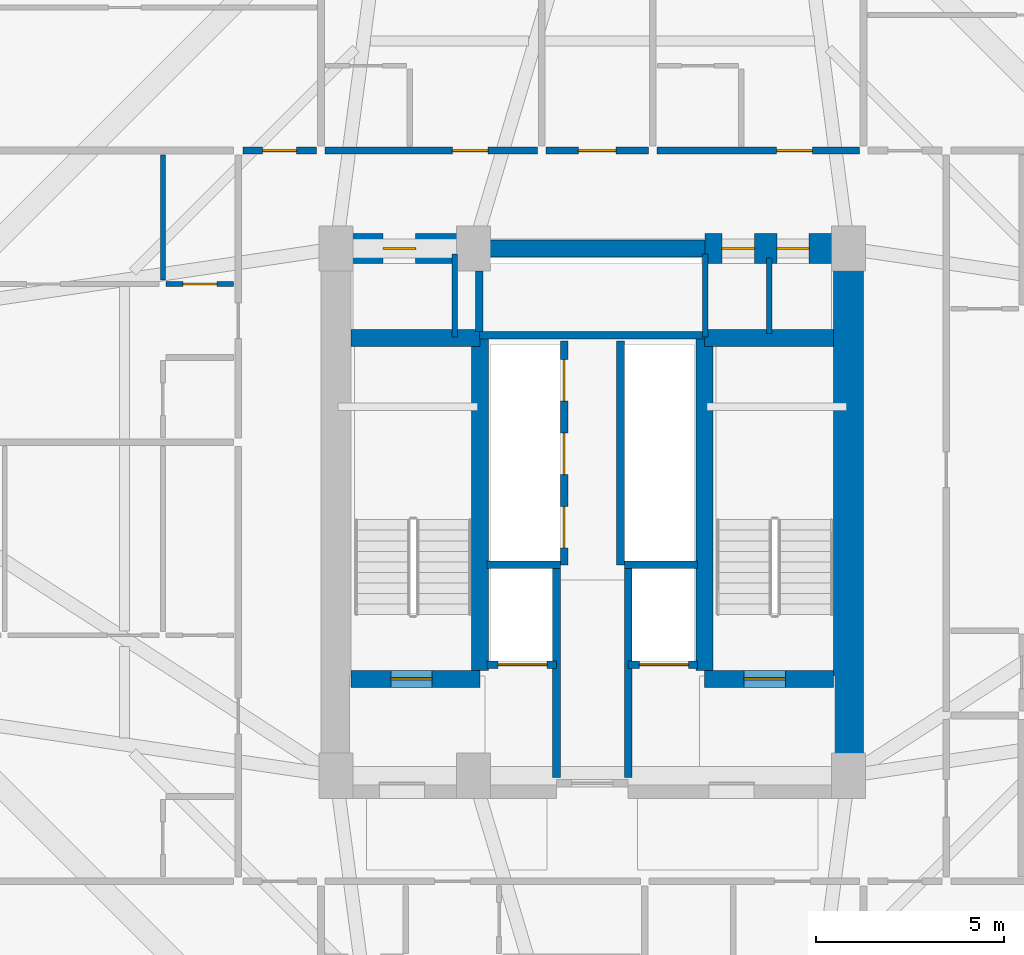
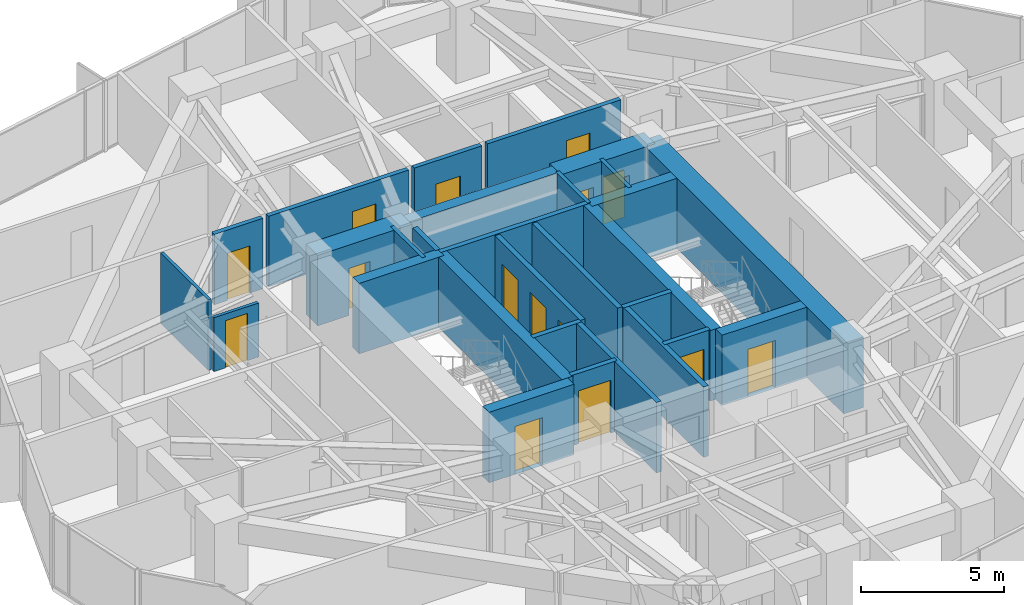
# One storey, part 34 of 38: 29 walls, 15 doors, 15 openings.
"""IFC4 building model written with IfcOpenShell, lengths in metres."""

from ifc_helpers import new_model, si_unit, direction, frame, frame_2d, origin, place, context, subcontext, project, spatial, rectangle, extrude, source, transform, mapped, material, layer, layer_set, type_object, element, fill, save


model = new_model("IFC4")

# Units and contexts
model_context = context("Model", 3, precision=1e-05, world=origin(), true_north=direction((0.0, 1.0)))
body_context = subcontext(model_context, "Body", "Model", "MODEL_VIEW")
ifc_project = project(units=[si_unit("LENGTHUNIT", "METRE"), si_unit("AREAUNIT", "SQUARE_METRE"), si_unit("VOLUMEUNIT", "CUBIC_METRE"), si_unit("PLANEANGLEUNIT", "RADIAN"), si_unit("MASSUNIT", "GRAM", prefix="KILO")], contexts=[model_context])

# Site, building, storey
site_placement = place(None, origin())
site = spatial("IfcSite", under=ifc_project, at=site_placement, CompositionType="ELEMENT")
building_placement = place(site_placement, origin())
building = spatial("IfcBuilding", under=site, at=building_placement, Name="Veraguas Prism Commons", CompositionType="ELEMENT")
storey_placement = place(building_placement, frame((0.0, 0.0, 64.10009765625)))
storey = spatial("IfcBuildingStorey", under=building, at=storey_placement, Name="L17", CompositionType="ELEMENT", Elevation=64.10009765625)

# Wall
ifc_material_1 = material(Name="Concrete C60/75", Category="concrete")
ifc_layer_1 = layer(ifc_material_1, 0.449951171875, Name="Core Internal Shear Wall Lower RC 450", Category="concrete")
ifc_layer_set_1 = layer_set([ifc_layer_1], Name="Concrete C60/75")
wall_type_1 = type_object("IfcWallType", Name="Core Internal Shear Wall Lower RC 450", PredefinedType="SHEAR", material=ifc_layer_set_1)
wall_1_placement = place(storey_placement, frame((21.0, 31.0, 0.0), z_axis=(0.0, 0.0, 1.0), x_axis=(1.0, 0.0, 0.0)))
element("IfcWall", 1, at=wall_1_placement, inside=storey, type_object=wall_type_1, Name="High-Rise Lift Bank Front Shear Wall L17", PredefinedType="SHEAR", context=body_context, shape_type="SweptSolid", body=[
    extrude(rectangle(XDim=6.0, YDim=0.449951171875, at=frame_2d((3.0, 0.0))), origin(), (0.0, 0.0, 1.0), 3.0),
])

# Wall, opening, door
wall_2_placement = place(storey_placement, frame((17.60009765625, 19.574951171875, 0.0), z_axis=(0.0, 0.0, 1.0), x_axis=(1.0, 0.0, 0.0)))
wall_2 = element("IfcWall", 2, at=wall_2_placement, inside=storey, type_object=wall_type_1, Name="Stair ST-01 South Shear Wall L17", PredefinedType="SHEAR", context=body_context, shape_type="SweptSolid", body=[
    extrude(rectangle(XDim=3.4248046875, YDim=0.449951171875, at=frame_2d((1.71240234375, 0.0))), origin(), (0.0, 0.0, 1.0), 3.0),
])
opening_1_placement = place(wall_2_placement, frame((1.050048828125, 0.0, 0.0)))
opening_1 = element("IfcOpeningElement", 3, at=opening_1_placement, cuts=wall_2, Name="Opening DR-05", PredefinedType="OPENING", context=body_context, shape_type="SweptSolid", body=[
    extrude(rectangle(XDim=1.10009765625, YDim=2.030029296875, at=frame_2d((0.550048828125, 1.01513671875))), frame((0.0, 0.23486328125, 0.0), z_axis=(0.0, -1.0, 0.0), x_axis=(1.0, 0.0, 0.0)), (0.0, 0.0, 1.0), 0.469970703125),
])
ifc_material_2 = material(Name="Steel fire-rated door assembly", Category="steel")
door_type_1 = type_object("IfcDoorType", Name="Protected Stair and Refuge Fire Door 1100x2030", OperationType="NOTDEFINED", PredefinedType="DOOR", material=ifc_material_2)
shared_shape_1 = source(origin(), body_context, "Body", "SweptSolid", [
    extrude(rectangle(XDim=1.10009765625, YDim=2.030029296875, at=frame_2d((0.550048828125, 1.01513671875))), frame((0.0, 0.02490234375, 0.0), z_axis=(0.0, -1.0, 0.0), x_axis=(1.0, 0.0, 0.0)), (0.0, 0.0, 1.0), 0.050048828125),
])
door_1_placement = place(opening_1_placement, origin())
door_1 = element("IfcDoor", 4, at=door_1_placement, inside=storey, type_object=door_type_1, Name="Stair ST-01 Enclosure Door L17", OperationType="SINGLE_SWING_LEFT", OverallHeight=2.030029296875, OverallWidth=1.10009765625, PredefinedType="DOOR", context=body_context, shape_type="MappedRepresentation", body=[
    mapped(shared_shape_1, transform((0.0, 0.0, 0.0), scale=1.0)),
])
fill(opening_1, door_1)

wall_3_placement = place(storey_placement, frame((26.97509765625, 19.574951171875, 0.0), z_axis=(0.0, 0.0, 1.0), x_axis=(1.0, 0.0, 0.0)))
wall_3 = element("IfcWall", 5, at=wall_3_placement, inside=storey, type_object=wall_type_1, Name="Stair ST-02 South Shear Wall L17", PredefinedType="SHEAR", context=body_context, shape_type="SweptSolid", body=[
    extrude(rectangle(XDim=3.4248046875, YDim=0.449951171875, at=frame_2d((1.71240234375, 0.0))), origin(), (0.0, 0.0, 1.0), 3.0),
])
opening_2_placement = place(wall_3_placement, frame((1.050048828125, 0.0, 0.0)))
opening_2 = element("IfcOpeningElement", 6, at=opening_2_placement, cuts=wall_3, Name="Opening DR-05", PredefinedType="OPENING", context=body_context, shape_type="SweptSolid", body=[
    extrude(rectangle(XDim=1.10009765625, YDim=2.030029296875, at=frame_2d((0.550048828125, 1.01513671875))), frame((0.0, 0.23486328125, 0.0), z_axis=(0.0, -1.0, 0.0), x_axis=(1.0, 0.0, 0.0)), (0.0, 0.0, 1.0), 0.469970703125),
])
door_2_placement = place(opening_2_placement, origin())
door_2 = element("IfcDoor", 7, at=door_2_placement, inside=storey, type_object=door_type_1, Name="Stair ST-02 Enclosure Door L17", OperationType="SINGLE_SWING_RIGHT", OverallHeight=2.030029296875, OverallWidth=1.10009765625, PredefinedType="DOOR", context=body_context, shape_type="MappedRepresentation", body=[
    mapped(shared_shape_1, transform((0.0, 0.0, 0.0), scale=1.0)),
])
fill(opening_2, door_2)

# Walls
for number, where, z_axis, x_axis, name in (
    (8, (21.02490234375, 19.800048828125, 0.0), (0.0, 0.0, 1.0), (0.0, 1.0, 0.0), "Stair ST-01 Inner Shear Wall L17"),
    (9, (26.97509765625, 19.800048828125, 0.0), (0.0, 0.0, 1.0), (0.0, 1.0, 0.0), "Stair ST-02 Inner Shear Wall L17"),
):
    element("IfcWall", number, at=place(storey_placement, frame(where, z_axis=z_axis, x_axis=x_axis)), inside=storey, type_object=wall_type_1, Name=name, PredefinedType="SHEAR", context=body_context, shape_type="SweptSolid", body=[
        extrude(rectangle(XDim=8.824951171875, YDim=0.449951171875, at=frame_2d((4.41259765625, 0.0))), origin(), (0.0, 0.0, 1.0), 3.0),
    ])
for number, where, z_axis, x_axis, name in (
    (10, (17.60009765625, 28.625, 0.0), (0.0, 0.0, 1.0), (1.0, 0.0, 0.0), "Stair ST-01 North Shear Wall L17"),
    (11, (26.97509765625, 28.625, 0.0), (0.0, 0.0, 1.0), (1.0, 0.0, 0.0), "Stair ST-02 North Shear Wall L17"),
):
    element("IfcWall", number, at=place(storey_placement, frame(where, z_axis=z_axis, x_axis=x_axis)), inside=storey, type_object=wall_type_1, Name=name, PredefinedType="SHEAR", context=body_context, shape_type="SweptSolid", body=[
        extrude(rectangle(XDim=3.4248046875, YDim=0.449951171875, at=frame_2d((1.71240234375, 0.0))), origin(), (0.0, 0.0, 1.0), 3.0),
    ])
ifc_layer_2 = layer(ifc_material_1, 0.800048828125, Name="Core Outer Shear Wall Lower RC 800", Category="concrete")
ifc_layer_set_2 = layer_set([ifc_layer_2], Name="Concrete C60/75")
wall_type_2 = type_object("IfcWallType", Name="Core Outer Shear Wall Lower RC 800", PredefinedType="SHEAR", material=ifc_layer_set_2)
wall_4_placement = place(storey_placement, frame((30.800048828125, 16.800048828125, 0.0), z_axis=(0.0, 0.0, 1.0), x_axis=(0.0, 1.0, 0.0)))
element("IfcWall", 12, at=wall_4_placement, inside=storey, type_object=wall_type_2, Name="Central Core East Shear Wall L17", PredefinedType="SHEAR", context=body_context, shape_type="SweptSolid", body=[
    extrude(rectangle(XDim=14.199951171875, YDim=0.800048828125, at=frame_2d((7.10009765625, 0.0))), origin(), (0.0, 0.0, 1.0), 3.0),
])

# Wall, opening, door
wall_5_placement = place(storey_placement, frame((17.199951171875, 31.0, 0.0), z_axis=(0.0, 0.0, 1.0), x_axis=(1.0, 0.0, 0.0)))
wall_5 = element("IfcWall", 13, at=wall_5_placement, inside=storey, type_object=wall_type_2, Name="Central Core North-West Shear Wall L17", PredefinedType="SHEAR", context=body_context, shape_type="SweptSolid", body=[
    extrude(rectangle(XDim=3.800048828125, YDim=0.800048828125, at=frame_2d((1.89990234375, 0.0))), origin(), (0.0, 0.0, 1.0), 3.0),
])
opening_3_placement = place(wall_5_placement, frame((1.25, 0.0, 0.0)))
opening_3 = element("IfcOpeningElement", 14, at=opening_3_placement, cuts=wall_5, Name="Opening DR-12", PredefinedType="OPENING", context=body_context, shape_type="SweptSolid", body=[
    extrude(rectangle(XDim=0.860107421875, YDim=2.010009765625, at=frame_2d((0.43017578125, 1.0048828125))), frame((0.0, 0.409912109375, 0.0), z_axis=(0.0, -1.0, 0.0), x_axis=(1.0, 0.0, 0.0)), (0.0, 0.0, 1.0), 0.820068359375),
])
door_type_2 = type_object("IfcDoorType", Name="Core WC Fire Door 860x2010", OperationType="NOTDEFINED", PredefinedType="DOOR", material=ifc_material_2)
shared_shape_2 = source(origin(), body_context, "Body", "SweptSolid", [
    extrude(rectangle(XDim=0.860107421875, YDim=2.010009765625, at=frame_2d((0.43017578125, 1.0048828125))), frame((0.0, 0.02490234375, 0.0), z_axis=(0.0, -1.0, 0.0), x_axis=(1.0, 0.0, 0.0)), (0.0, 0.0, 1.0), 0.050048828125),
])
door_3_placement = place(opening_3_placement, origin())
door_3 = element("IfcDoor", 15, at=door_3_placement, inside=storey, type_object=door_type_2, Name="Core NW Service Door L17", OperationType="SINGLE_SWING_RIGHT", OverallHeight=2.010009765625, OverallWidth=0.860107421875, PredefinedType="DOOR", context=body_context, shape_type="MappedRepresentation", body=[
    mapped(shared_shape_2, transform((0.0, 0.0, 0.0), scale=1.0)),
])
fill(opening_3, door_3)

# Wall, openings, doors
wall_6_placement = place(storey_placement, frame((27.0, 31.0, 0.0), z_axis=(0.0, 0.0, 1.0), x_axis=(1.0, 0.0, 0.0)))
wall_6 = element("IfcWall", 16, at=wall_6_placement, inside=storey, type_object=wall_type_2, Name="Central Core North-East Shear Wall L17", PredefinedType="SHEAR", context=body_context, shape_type="SweptSolid", body=[
    extrude(rectangle(XDim=3.800048828125, YDim=0.800048828125, at=frame_2d((1.89990234375, 0.0))), origin(), (0.0, 0.0, 1.0), 3.0),
])
opening_4_placement = place(wall_6_placement, frame((0.449951171875, 0.0, 0.0)))
opening_4 = element("IfcOpeningElement", 17, at=opening_4_placement, cuts=wall_6, Name="Opening DR-12", PredefinedType="OPENING", context=body_context, shape_type="SweptSolid", body=[
    extrude(rectangle(XDim=0.860107421875, YDim=2.010009765625, at=frame_2d((0.43017578125, 1.0048828125))), frame((0.0, 0.409912109375, 0.0), z_axis=(0.0, -1.0, 0.0), x_axis=(1.0, 0.0, 0.0)), (0.0, 0.0, 1.0), 0.820068359375),
])
opening_5_placement = place(wall_6_placement, frame((1.89990234375, 0.0, 0.0)))
opening_5 = element("IfcOpeningElement", 18, at=opening_5_placement, cuts=wall_6, Name="Opening DR-12", PredefinedType="OPENING", context=body_context, shape_type="SweptSolid", body=[
    extrude(rectangle(XDim=0.860107421875, YDim=2.010009765625, at=frame_2d((0.43017578125, 1.0048828125))), frame((0.0, 0.409912109375, 0.0), z_axis=(0.0, -1.0, 0.0), x_axis=(1.0, 0.0, 0.0)), (0.0, 0.0, 1.0), 0.820068359375),
])
door_4_placement = place(opening_4_placement, origin())
door_4 = element("IfcDoor", 19, at=door_4_placement, inside=storey, type_object=door_type_2, Name="Core NE Room A Door L17", OperationType="SINGLE_SWING_LEFT", OverallHeight=2.010009765625, OverallWidth=0.860107421875, PredefinedType="DOOR", context=body_context, shape_type="MappedRepresentation", body=[
    mapped(shared_shape_2, transform((0.0, 0.0, 0.0), scale=1.0)),
])
fill(opening_4, door_4)
door_5_placement = place(opening_5_placement, origin())
door_5 = element("IfcDoor", 20, at=door_5_placement, inside=storey, type_object=door_type_2, Name="Core NE Room B Door L17", OperationType="SINGLE_SWING_RIGHT", OverallHeight=2.010009765625, OverallWidth=0.860107421875, PredefinedType="DOOR", context=body_context, shape_type="MappedRepresentation", body=[
    mapped(shared_shape_2, transform((0.0, 0.0, 0.0), scale=1.0)),
])
fill(opening_5, door_5)

# Wall, opening, door
ifc_material_3 = material(Name="Autoclaved aerated masonry block 10 MPa", Category="masonry")
ifc_layer_3 = layer(ifc_material_3, 0.179931640625, Name="Corridor and Inter-Tenancy Partition 180", Category="masonry")
ifc_layer_set_3 = layer_set([ifc_layer_3], Name="Autoclaved aerated masonry block 10 MPa")
wall_type_3 = type_object("IfcWallType", Name="Corridor and Inter-Tenancy Partition 180", PredefinedType="PARTITIONING", material=ifc_layer_set_3)
wall_7_placement = place(storey_placement, frame((22.76806640625, 33.60009765625, 0.0), z_axis=(0.0, 0.0, 1.0), x_axis=(1.0, 0.0, 0.0)))
wall_7 = element("IfcWall", 21, at=wall_7_placement, inside=storey, type_object=wall_type_3, Name="WL-L17-PT017", PredefinedType="PARTITIONING", context=body_context, shape_type="SweptSolid", body=[
    extrude(rectangle(XDim=2.72998046875, YDim=0.179931640625, at=frame_2d((1.364990234375, 0.0))), origin(), (0.0, 0.0, 1.0), 3.0),
])
opening_6_placement = place(wall_7_placement, frame((0.864990234375, 0.0, 0.0)))
opening_6 = element("IfcOpeningElement", 22, at=opening_6_placement, cuts=wall_7, Name="Opening DR-13", PredefinedType="OPENING", context=body_context, shape_type="SweptSolid", body=[
    extrude(rectangle(XDim=1.0, YDim=2.010009765625, at=frame_2d((0.5, 1.0048828125))), frame((0.0, 0.099853515625, 0.0), z_axis=(0.0, -1.0, 0.0), x_axis=(1.0, 0.0, 0.0)), (0.0, 0.0, 1.0), 0.199951171875),
])
door_type_3 = type_object("IfcDoorType", Name="Core Accessible WC and Clinic Fire Door 1000x2010", OperationType="NOTDEFINED", PredefinedType="DOOR", material=ifc_material_2)
shared_shape_3 = source(origin(), body_context, "Body", "SweptSolid", [
    extrude(rectangle(XDim=1.0, YDim=2.010009765625, at=frame_2d((0.5, 1.0048828125))), frame((0.0, 0.02490234375, 0.0), z_axis=(0.0, -1.0, 0.0), x_axis=(1.0, 0.0, 0.0)), (0.0, 0.0, 1.0), 0.050048828125),
])
door_6_placement = place(opening_6_placement, origin())
door_6 = element("IfcDoor", 23, at=door_6_placement, inside=storey, type_object=door_type_3, Name="Quiet Study N Door", OperationType="SINGLE_SWING_RIGHT", OverallHeight=2.010009765625, OverallWidth=1.0, PredefinedType="DOOR", context=body_context, shape_type="MappedRepresentation", body=[
    mapped(shared_shape_3, transform((0.0, 0.0, 0.0), scale=1.0)),
])
fill(opening_6, door_6)

wall_8_placement = place(storey_placement, frame((16.909912109375, 33.60009765625, 0.0), z_axis=(0.0, 0.0, 1.0), x_axis=(1.0, 0.0, 0.0)))
wall_8 = element("IfcWall", 24, at=wall_8_placement, inside=storey, type_object=wall_type_3, Name="WL-L17-PT019", PredefinedType="PARTITIONING", context=body_context, shape_type="SweptSolid", body=[
    extrude(rectangle(XDim=5.63818359375, YDim=0.179931640625, at=frame_2d((2.819091796875, 0.0))), origin(), (0.0, 0.0, 1.0), 3.0),
])
opening_7_placement = place(wall_8_placement, frame((3.373046875, 0.0, 0.0)))
opening_7 = element("IfcOpeningElement", 25, at=opening_7_placement, cuts=wall_8, Name="Opening DR-01", PredefinedType="OPENING", context=body_context, shape_type="SweptSolid", body=[
    extrude(rectangle(XDim=0.949951171875, YDim=2.02001953125, at=frame_2d((0.47509765625, 1.010009765625))), frame((0.0, 0.099853515625, 0.0), z_axis=(0.0, -1.0, 0.0), x_axis=(1.0, 0.0, 0.0)), (0.0, 0.0, 1.0), 0.199951171875),
])
ifc_material_4 = material(Name="Anodised aluminium EN AW-6063 T6", Category="aluminium")
door_type_4 = type_object("IfcDoorType", Name="Apartment Entrance Fire Door 950x2020", OperationType="NOTDEFINED", PredefinedType="DOOR", material=ifc_material_4)
shared_shape_4 = source(origin(), body_context, "Body", "SweptSolid", [
    extrude(rectangle(XDim=0.949951171875, YDim=2.02001953125, at=frame_2d((0.47509765625, 1.010009765625))), frame((0.0, 0.02490234375, 0.0), z_axis=(0.0, -1.0, 0.0), x_axis=(1.0, 0.0, 0.0)), (0.0, 0.0, 1.0), 0.050048828125),
])
door_7_placement = place(opening_7_placement, origin())
door_7 = element("IfcDoor", 26, at=door_7_placement, inside=storey, type_object=door_type_4, Name="Studio 17C Entrance Door", OperationType="SINGLE_SWING_LEFT", OverallHeight=2.02001953125, OverallWidth=0.949951171875, PredefinedType="DOOR", context=body_context, shape_type="MappedRepresentation", body=[
    mapped(shared_shape_4, transform((0.0, 0.0, 0.0), scale=1.0)),
])
fill(opening_7, door_7)

wall_9_placement = place(storey_placement, frame((25.718017578125, 33.60009765625, 0.0), z_axis=(0.0, 0.0, 1.0), x_axis=(1.0, 0.0, 0.0)))
wall_9 = element("IfcWall", 27, at=wall_9_placement, inside=storey, type_object=wall_type_3, Name="WL-L17-PT023", PredefinedType="PARTITIONING", context=body_context, shape_type="SweptSolid", body=[
    extrude(rectangle(XDim=5.3720703125, YDim=0.179931640625, at=frame_2d((2.68603515625, 0.0))), origin(), (0.0, 0.0, 1.0), 3.0),
])
opening_8_placement = place(wall_9_placement, frame((3.17626953125, 0.0, 0.0)))
opening_8 = element("IfcOpeningElement", 28, at=opening_8_placement, cuts=wall_9, Name="Opening DR-01", PredefinedType="OPENING", context=body_context, shape_type="SweptSolid", body=[
    extrude(rectangle(XDim=0.949951171875, YDim=2.02001953125, at=frame_2d((0.47509765625, 1.010009765625))), frame((0.0, 0.099853515625, 0.0), z_axis=(0.0, -1.0, 0.0), x_axis=(1.0, 0.0, 0.0)), (0.0, 0.0, 1.0), 0.199951171875),
])
door_8_placement = place(opening_8_placement, origin())
door_8 = element("IfcDoor", 29, at=door_8_placement, inside=storey, type_object=door_type_4, Name="Studio 17D Entrance Door", OperationType="SINGLE_SWING_LEFT", OverallHeight=2.02001953125, OverallWidth=0.949951171875, PredefinedType="DOOR", context=body_context, shape_type="MappedRepresentation", body=[
    mapped(shared_shape_4, transform((0.0, 0.0, 0.0), scale=1.0)),
])
fill(opening_8, door_8)

wall_10_placement = place(storey_placement, frame((14.719970703125, 33.60009765625, 0.0), z_axis=(0.0, 0.0, 1.0), x_axis=(1.0, 0.0, 0.0)))
wall_10 = element("IfcWall", 30, at=wall_10_placement, inside=storey, type_object=wall_type_3, Name="WL-L17-PT065", PredefinedType="PARTITIONING", context=body_context, shape_type="SweptSolid", body=[
    extrude(rectangle(XDim=1.9599609375, YDim=0.179931640625, at=frame_2d((0.97998046875, 0.0))), origin(), (0.0, 0.0, 1.0), 3.0),
])
opening_9_placement = place(wall_10_placement, frame((0.530029296875, 0.0, 0.0)))
opening_9 = element("IfcOpeningElement", 31, at=opening_9_placement, cuts=wall_10, Name="Opening DR-14", PredefinedType="OPENING", context=body_context, shape_type="SweptSolid", body=[
    extrude(rectangle(XDim=0.89990234375, YDim=2.010009765625, at=frame_2d((0.449951171875, 1.0048828125))), frame((0.0, 0.099853515625, 0.0), z_axis=(0.0, -1.0, 0.0), x_axis=(1.0, 0.0, 0.0)), (0.0, 0.0, 1.0), 0.199951171875),
])
door_type_5 = type_object("IfcDoorType", Name="Core Service Room Fire Door 900x2010", OperationType="NOTDEFINED", PredefinedType="DOOR", material=ifc_material_2)
shared_shape_5 = source(origin(), body_context, "Body", "SweptSolid", [
    extrude(rectangle(XDim=0.89990234375, YDim=2.010009765625, at=frame_2d((0.449951171875, 1.0048828125))), frame((0.0, 0.02490234375, 0.0), z_axis=(0.0, -1.0, 0.0), x_axis=(1.0, 0.0, 0.0)), (0.0, 0.0, 1.0), 0.050048828125),
])
door_9_placement = place(opening_9_placement, origin())
door_9 = element("IfcDoor", 32, at=door_9_placement, inside=storey, type_object=door_type_5, Name="Shared Laundry Room Door", OperationType="SINGLE_SWING_RIGHT", OverallHeight=2.010009765625, OverallWidth=0.89990234375, PredefinedType="DOOR", context=body_context, shape_type="MappedRepresentation", body=[
    mapped(shared_shape_5, transform((0.0, 0.0, 0.0), scale=1.0)),
])
fill(opening_9, door_9)

ifc_material_5 = material(Name="Lightweight acoustic gypsum board")
ifc_layer_4 = layer(ifc_material_5, 0.125, Name="Internal Apartment Room Partition 125")
ifc_layer_set_4 = layer_set([ifc_layer_4], Name="Lightweight acoustic gypsum board")
wall_type_4 = type_object("IfcWallType", Name="Internal Apartment Room Partition 125", PredefinedType="PARTITIONING", material=ifc_layer_set_4)
wall_11_placement = place(storey_placement, frame((14.47998046875, 30.05810546875, 0.0), z_axis=(0.0, 0.0, 1.0), x_axis=(-1.0, 0.0, 0.0)))
wall_11 = element("IfcWall", 33, at=wall_11_placement, inside=storey, type_object=wall_type_4, Name="WL-L17-PT040", PredefinedType="PARTITIONING", context=body_context, shape_type="SweptSolid", body=[
    extrude(rectangle(XDim=1.800048828125, YDim=0.125, at=frame_2d((0.89990234375, 0.0))), origin(), (0.0, 0.0, 1.0), 2.298828125),
])
opening_10_placement = place(wall_11_placement, frame((0.449951171875, 0.0, 0.0)))
opening_10 = element("IfcOpeningElement", 34, at=opening_10_placement, cuts=wall_11, Name="Opening DR-02", PredefinedType="OPENING", context=body_context, shape_type="SweptSolid", body=[
    extrude(rectangle(XDim=0.89990234375, YDim=2.010009765625, at=frame_2d((0.449951171875, 1.0048828125))), frame((0.0, 0.072509765625, 0.0), z_axis=(0.0, -1.0, 0.0), x_axis=(1.0, 0.0, 0.0)), (0.0, 0.0, 1.0), 0.14501953125),
])
ifc_material_6 = material(Name="Timber solid core hardwood", Category="wood")
door_type_6 = type_object("IfcDoorType", Name="Internal Habitable Room Door 900x2010", OperationType="NOTDEFINED", PredefinedType="DOOR", material=ifc_material_6)
door_10_placement = place(opening_10_placement, origin())
door_10 = element("IfcDoor", 35, at=door_10_placement, inside=storey, type_object=door_type_6, Name="Flat 17F Kitchen Door", OperationType="SINGLE_SWING_RIGHT", OverallHeight=2.010009765625, OverallWidth=0.89990234375, PredefinedType="DOOR", context=body_context, shape_type="MappedRepresentation", body=[
    mapped(shared_shape_5, transform((0.0, 0.0, 0.0), scale=1.0)),
])
fill(opening_10, door_10)

# Wall
wall_12_placement = place(storey_placement, frame((12.60009765625, 30.157958984375, 0.0), z_axis=(0.0, 0.0, 1.0), x_axis=(0.0, 1.0, 0.0)))
element("IfcWall", 36, at=wall_12_placement, inside=storey, type_object=wall_type_4, Name="WL-L17-PT041", PredefinedType="PARTITIONING", context=body_context, shape_type="SweptSolid", body=[
    extrude(rectangle(XDim=3.322021484375, YDim=0.125, at=frame_2d((1.6611328125, 0.0))), origin(), (0.0, 0.0, 1.0), 3.0),
])

# Wall, opening, door
ifc_layer_5 = layer(ifc_material_3, 0.199951171875, Name="Rated Shaft and Lobby Block Wall 200", Category="masonry")
ifc_layer_set_5 = layer_set([ifc_layer_5], Name="Autoclaved aerated masonry block 10 MPa")
wall_type_5 = type_object("IfcWallType", Name="Rated Shaft and Lobby Block Wall 200", PredefinedType="SOLIDWALL", material=ifc_layer_set_5)
wall_13_placement = place(storey_placement, frame((21.199951171875, 19.949951171875, 0.0), z_axis=(0.0, 0.0, 1.0), x_axis=(1.0, 0.0, 0.0)))
wall_13 = element("IfcWall", 37, at=wall_13_placement, inside=storey, type_object=wall_type_5, Name="Firefighting Lift FFL-1 Front Wall L17", PredefinedType="SOLIDWALL", context=body_context, shape_type="SweptSolid", body=[
    extrude(rectangle(XDim=1.85009765625, YDim=0.199951171875, at=frame_2d((0.925048828125, 0.0))), origin(), (0.0, 0.0, 1.0), 3.0),
])
opening_11_placement = place(wall_13_placement, frame((0.300048828125, 0.0, 0.0)))
opening_11 = element("IfcOpeningElement", 38, at=opening_11_placement, cuts=wall_13, Name="Opening LD-02", PredefinedType="OPENING", context=body_context, shape_type="SweptSolid", body=[
    extrude(rectangle(XDim=1.300048828125, YDim=2.25, at=frame_2d((0.64990234375, 1.125))), frame((0.0, 0.10986328125, 0.0), z_axis=(0.0, -1.0, 0.0), x_axis=(1.0, 0.0, 0.0)), (0.0, 0.0, 1.0), 0.219970703125),
])
ifc_material_7 = material(Name="Stainless steel AISI 316", Category="steel")
door_type_7 = type_object("IfcDoorType", Name="Firefighting Lift Sliding Landing Door 1300x2250", OperationType="NOTDEFINED", PredefinedType="DOOR", material=ifc_material_7)
shared_shape_6 = source(origin(), body_context, "Body", "SweptSolid", [
    extrude(rectangle(XDim=1.300048828125, YDim=2.25, at=frame_2d((0.64990234375, 1.125))), frame((0.0, 0.02490234375, 0.0), z_axis=(0.0, -1.0, 0.0), x_axis=(1.0, 0.0, 0.0)), (0.0, 0.0, 1.0), 0.050048828125),
])
door_11_placement = place(opening_11_placement, origin())
door_11 = element("IfcDoor", 39, at=door_11_placement, inside=storey, type_object=door_type_7, Name="Firefighting Lift FFL-1 Landing Door L17", OperationType="SLIDING_TO_LEFT", OverallHeight=2.25, OverallWidth=1.300048828125, PredefinedType="DOOR", context=body_context, shape_type="MappedRepresentation", body=[
    mapped(shared_shape_6, transform((0.0, 0.0, 0.0), scale=1.0)),
])
fill(opening_11, door_11)

wall_14_placement = place(storey_placement, frame((24.949951171875, 19.949951171875, 0.0), z_axis=(0.0, 0.0, 1.0), x_axis=(1.0, 0.0, 0.0)))
wall_14 = element("IfcWall", 40, at=wall_14_placement, inside=storey, type_object=wall_type_5, Name="Firefighting Lift FFL-2 Front Wall L17", PredefinedType="SOLIDWALL", context=body_context, shape_type="SweptSolid", body=[
    extrude(rectangle(XDim=1.85009765625, YDim=0.199951171875, at=frame_2d((0.925048828125, 0.0))), origin(), (0.0, 0.0, 1.0), 3.0),
])
opening_12_placement = place(wall_14_placement, frame((0.300048828125, 0.0, 0.0)))
opening_12 = element("IfcOpeningElement", 41, at=opening_12_placement, cuts=wall_14, Name="Opening LD-02", PredefinedType="OPENING", context=body_context, shape_type="SweptSolid", body=[
    extrude(rectangle(XDim=1.300048828125, YDim=2.25, at=frame_2d((0.64990234375, 1.125))), frame((0.0, 0.10986328125, 0.0), z_axis=(0.0, -1.0, 0.0), x_axis=(1.0, 0.0, 0.0)), (0.0, 0.0, 1.0), 0.219970703125),
])
door_12_placement = place(opening_12_placement, origin())
door_12 = element("IfcDoor", 42, at=door_12_placement, inside=storey, type_object=door_type_7, Name="Firefighting Lift FFL-2 Front Wall L17", OperationType="SLIDING_TO_LEFT", OverallHeight=2.25, OverallWidth=1.300048828125, PredefinedType="DOOR", context=body_context, shape_type="MappedRepresentation", body=[
    mapped(shared_shape_6, transform((0.0, 0.0, 0.0), scale=1.0)),
])
fill(opening_12, door_12)

# Walls
for number, where, z_axis, x_axis, name in (
    (43, (23.050048828125, 16.949951171875, 0.0), (0.0, 0.0, 1.0), (0.0, 1.0, 0.0), "West FF Lobby Divider Wall L17"),
    (44, (24.949951171875, 16.949951171875, 0.0), (0.0, 0.0, 1.0), (0.0, 1.0, 0.0), "East FF Lobby Divider Wall L17"),
):
    element("IfcWall", number, at=place(storey_placement, frame(where, z_axis=z_axis, x_axis=x_axis)), inside=storey, type_object=wall_type_5, Name=name, PredefinedType="SOLIDWALL", context=body_context, shape_type="SweptSolid", body=[
        extrude(rectangle(XDim=5.60009765625, YDim=0.199951171875, at=frame_2d((2.800048828125, 0.0))), origin(), (0.0, 0.0, 1.0), 3.0),
    ])
for number, where, z_axis, x_axis, name in (
    (45, (21.199951171875, 22.60009765625, 0.0), (0.0, 0.0, 1.0), (1.0, 0.0, 0.0), "Firefighting Lift FFL-1 Rear Wall L17"),
    (46, (24.85009765625, 22.60009765625, 0.0), (0.0, 0.0, 1.0), (1.0, 0.0, 0.0), "Firefighting Lift FFL-2 Rear Wall L17"),
):
    element("IfcWall", number, at=place(storey_placement, frame(where, z_axis=z_axis, x_axis=x_axis)), inside=storey, type_object=wall_type_5, Name=name, PredefinedType="SOLIDWALL", context=body_context, shape_type="SweptSolid", body=[
        extrude(rectangle(XDim=1.949951171875, YDim=0.199951171875, at=frame_2d((0.97509765625, 0.0))), origin(), (0.0, 0.0, 1.0), 3.0),
    ])
wall_15_placement = place(storey_placement, frame((21.0, 28.699951171875, 0.0), z_axis=(0.0, 0.0, 1.0), x_axis=(1.0, 0.0, 0.0)))
element("IfcWall", 47, at=wall_15_placement, inside=storey, type_object=wall_type_5, Name="High-Rise Lift Bank Rear Shaft Wall L17", PredefinedType="SOLIDWALL", context=body_context, shape_type="SweptSolid", body=[
    extrude(rectangle(XDim=6.0, YDim=0.199951171875, at=frame_2d((3.0, 0.0))), origin(), (0.0, 0.0, 1.0), 3.0),
])
wall_16_placement = place(storey_placement, frame((21.0, 28.800048828125, 0.0), z_axis=(0.0, 0.0, 1.0), x_axis=(0.0, 1.0, 0.0)))
element("IfcWall", 48, at=wall_16_placement, inside=storey, type_object=wall_type_5, Name="High-Rise Lift Bank West Shaft Wall L17", PredefinedType="SOLIDWALL", context=body_context, shape_type="SweptSolid", body=[
    extrude(rectangle(XDim=1.599853515625, YDim=0.199951171875, at=frame_2d((0.7998046875, 0.0))), origin(), (0.0, 0.0, 1.0), 3.0),
])

# Wall, openings, doors
wall_17_placement = place(storey_placement, frame((23.25, 22.60009765625, 0.0), z_axis=(0.0, 0.0, 1.0), x_axis=(0.0, 1.0, 0.0)))
wall_17 = element("IfcWall", 49, at=wall_17_placement, inside=storey, type_object=wall_type_5, Name="Low-Rise Lift Bank Front Wall L17", PredefinedType="SOLIDWALL", context=body_context, shape_type="SweptSolid", body=[
    extrude(rectangle(XDim=5.949951171875, YDim=0.199951171875, at=frame_2d((2.97509765625, 0.0))), origin(), (0.0, 0.0, 1.0), 3.0),
])
opening_13_placement = place(wall_17_placement, frame((0.449951171875, 0.0, 0.0)))
opening_13 = element("IfcOpeningElement", 50, at=opening_13_placement, cuts=wall_17, Name="Opening LD-01", PredefinedType="OPENING", context=body_context, shape_type="SweptSolid", body=[
    extrude(rectangle(XDim=1.10009765625, YDim=2.080078125, at=frame_2d((0.550048828125, 1.0400390625))), frame((0.0, 0.10986328125, 0.0), z_axis=(0.0, -1.0, 0.0), x_axis=(1.0, 0.0, 0.0)), (0.0, 0.0, 1.0), 0.219970703125),
])
opening_14_placement = place(wall_17_placement, frame((2.39990234375, 0.0, 0.0)))
opening_14 = element("IfcOpeningElement", 51, at=opening_14_placement, cuts=wall_17, Name="Opening LD-01", PredefinedType="OPENING", context=body_context, shape_type="SweptSolid", body=[
    extrude(rectangle(XDim=1.10009765625, YDim=2.080078125, at=frame_2d((0.550048828125, 1.0400390625))), frame((0.0, 0.10986328125, 0.0), z_axis=(0.0, -1.0, 0.0), x_axis=(1.0, 0.0, 0.0)), (0.0, 0.0, 1.0), 0.219970703125),
])
opening_15_placement = place(wall_17_placement, frame((4.35009765625, 0.0, 0.0)))
opening_15 = element("IfcOpeningElement", 52, at=opening_15_placement, cuts=wall_17, Name="Opening LD-01", PredefinedType="OPENING", context=body_context, shape_type="SweptSolid", body=[
    extrude(rectangle(XDim=1.10009765625, YDim=2.080078125, at=frame_2d((0.550048828125, 1.0400390625))), frame((0.0, 0.10986328125, 0.0), z_axis=(0.0, -1.0, 0.0), x_axis=(1.0, 0.0, 0.0)), (0.0, 0.0, 1.0), 0.219970703125),
])
door_type_8 = type_object("IfcDoorType", Name="Passenger Lift Sliding Landing Door 1100x2080", OperationType="NOTDEFINED", PredefinedType="DOOR", material=ifc_material_7)
shared_shape_7 = source(origin(), body_context, "Body", "SweptSolid", [
    extrude(rectangle(XDim=1.10009765625, YDim=2.080078125, at=frame_2d((0.550048828125, 1.0400390625))), frame((0.0, 0.02490234375, 0.0), z_axis=(0.0, -1.0, 0.0), x_axis=(1.0, 0.0, 0.0)), (0.0, 0.0, 1.0), 0.050048828125),
])
door_13_placement = place(opening_13_placement, origin())
door_13 = element("IfcDoor", 53, at=door_13_placement, inside=storey, type_object=door_type_8, Name="Sliding Landing Door PL-L1 L17", OperationType="SLIDING_TO_LEFT", OverallHeight=2.080078125, OverallWidth=1.10009765625, PredefinedType="DOOR", context=body_context, shape_type="MappedRepresentation", body=[
    mapped(shared_shape_7, transform((0.0, 0.0, 0.0), scale=1.0)),
])
fill(opening_13, door_13)
door_14_placement = place(opening_14_placement, origin())
door_14 = element("IfcDoor", 54, at=door_14_placement, inside=storey, type_object=door_type_8, Name="Sliding Landing Door PL-L2 L17", OperationType="SLIDING_TO_LEFT", OverallHeight=2.080078125, OverallWidth=1.10009765625, PredefinedType="DOOR", context=body_context, shape_type="MappedRepresentation", body=[
    mapped(shared_shape_7, transform((0.0, 0.0, 0.0), scale=1.0)),
])
fill(opening_14, door_14)
door_15_placement = place(opening_15_placement, origin())
door_15 = element("IfcDoor", 55, at=door_15_placement, inside=storey, type_object=door_type_8, Name="Sliding Landing Door PL-L3 L17", OperationType="SLIDING_TO_LEFT", OverallHeight=2.080078125, OverallWidth=1.10009765625, PredefinedType="DOOR", context=body_context, shape_type="MappedRepresentation", body=[
    mapped(shared_shape_7, transform((0.0, 0.0, 0.0), scale=1.0)),
])
fill(opening_15, door_15)

# Walls
wall_18_placement = place(storey_placement, frame((24.75, 22.60009765625, 0.0), z_axis=(0.0, 0.0, 1.0), x_axis=(0.0, 1.0, 0.0)))
element("IfcWall", 56, at=wall_18_placement, inside=storey, type_object=wall_type_5, Name="Mid-Rise Lift Bank Front Wall L17", PredefinedType="SOLIDWALL", context=body_context, shape_type="SweptSolid", body=[
    extrude(rectangle(XDim=5.949951171875, YDim=0.199951171875, at=frame_2d((2.97509765625, 0.0))), origin(), (0.0, 0.0, 1.0), 3.0),
])
ifc_layer_6 = layer(ifc_material_5, 0.14990234375, Name="Wet Room and Clinic Acoustic Partition 150")
ifc_layer_set_6 = layer_set([ifc_layer_6], Name="Lightweight acoustic gypsum board")
wall_type_6 = type_object("IfcWallType", Name="Wet Room and Clinic Acoustic Partition 150", PredefinedType="PARTITIONING", material=ifc_layer_set_6)
for number, where, z_axis, x_axis, name in (
    (57, (20.35009765625, 28.64990234375, 0.0), (0.0, 0.0, 1.0), (0.0, 1.0, 0.0), "Core NW Service Inner Wall L17"),
    (58, (27.0, 28.64990234375, 0.0), (0.0, 0.0, 1.0), (0.0, 1.0, 0.0), "Core NE Service Inner Wall L17"),
):
    element("IfcWall", number, at=place(storey_placement, frame(where, z_axis=z_axis, x_axis=x_axis)), inside=storey, type_object=wall_type_6, Name=name, PredefinedType="PARTITIONING", context=body_context, shape_type="SweptSolid", body=[
        extrude(rectangle(XDim=2.2001953125, YDim=0.14990234375, at=frame_2d((1.10009765625, 0.0))), origin(), (0.0, 0.0, 1.0), 3.0),
    ])
wall_19_placement = place(storey_placement, frame((28.699951171875, 28.75, 0.0), z_axis=(0.0, 0.0, 1.0), x_axis=(0.0, 1.0, 0.0)))
element("IfcWall", 59, at=wall_19_placement, inside=storey, type_object=wall_type_6, Name="WL-L17-CSVD1", PredefinedType="PARTITIONING", context=body_context, shape_type="SweptSolid", body=[
    extrude(rectangle(XDim=2.0, YDim=0.14990234375, at=frame_2d((1.0, 0.0))), origin(), (0.0, 0.0, 1.0), 3.0),
])

save(model, "model.ifc")
